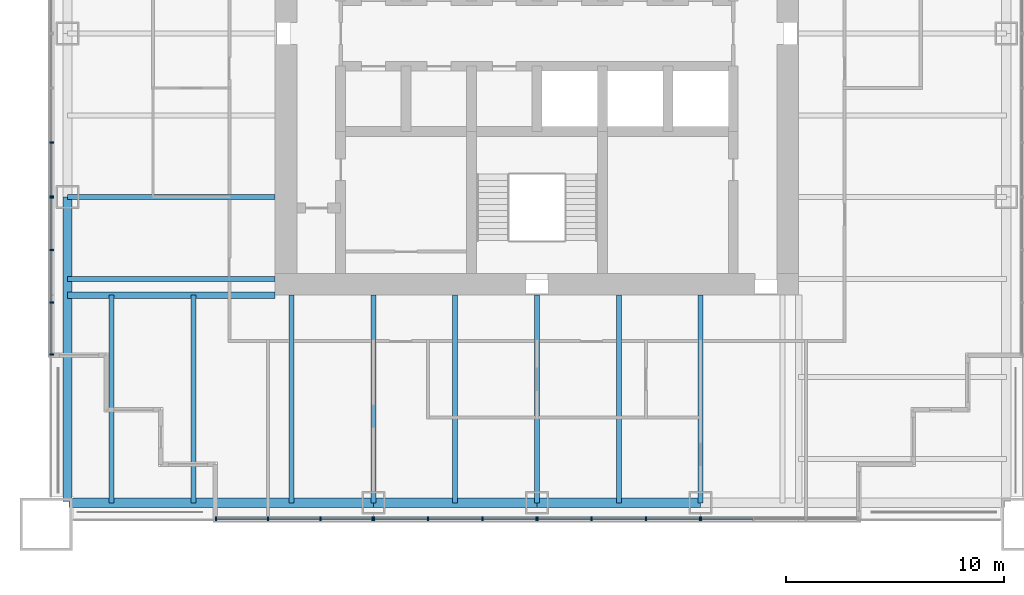
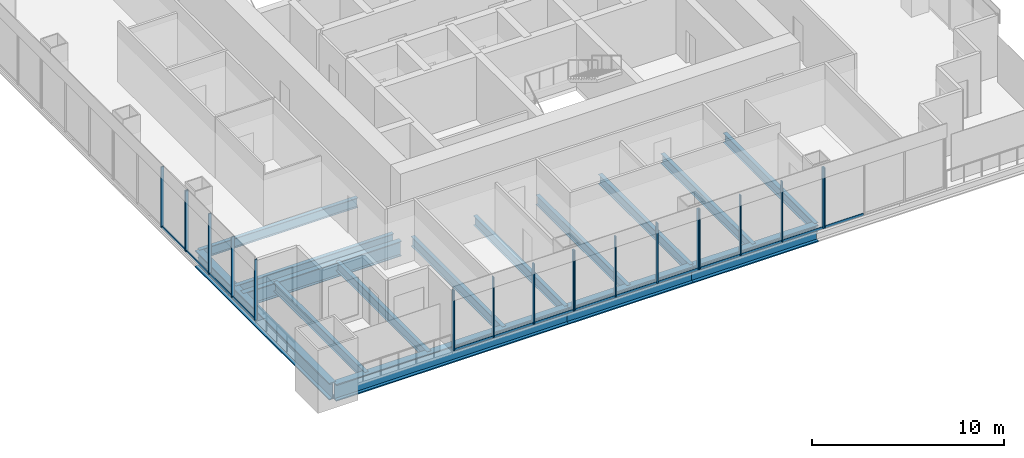
# One storey, part 2 of 13: 33 members, 15 beams, 6 elements without a shape of their own.
"""IFC4 building model written with IfcOpenShell, lengths in metres."""

from ifc_helpers import new_model, si_unit, direction, frame, origin, origin_2d, place, context, subcontext, project, spatial, rectangle, i_section, extrude, material, material_profile, profile_set, type_object, element, aggregate, save


model = new_model("IFC4")

# Units and contexts
model_context = context("Model", 3, precision=1e-05, world=origin(), true_north=direction((0.0, 1.0)))
body_context = subcontext(model_context, "Body", "Model", "MODEL_VIEW")
ifc_project = project(units=[si_unit("LENGTHUNIT", "METRE"), si_unit("AREAUNIT", "SQUARE_METRE"), si_unit("VOLUMEUNIT", "CUBIC_METRE"), si_unit("PLANEANGLEUNIT", "RADIAN"), si_unit("MASSUNIT", "GRAM", prefix="KILO")], contexts=[model_context])

# Site, building, storey
site_placement = place(None, origin())
site = spatial("IfcSite", under=ifc_project, at=site_placement, CompositionType="ELEMENT")
building_placement = place(site_placement, origin())
building = spatial("IfcBuilding", under=site, at=building_placement, Name="Tarangal Relay Tower", CompositionType="ELEMENT")
storey_placement = place(building_placement, frame((0.0, 0.0, 209.89990234375)))
storey = spatial("IfcBuildingStorey", under=building, at=storey_placement, Name="L44", CompositionType="ELEMENT", Elevation=209.89990234375)

# Beams
ifc_material_1 = material(Name="Steel ASTM A992", Category="steel")
ifc_material_profile_1 = material_profile(ifc_material_1, i_section(OverallWidth=0.227783203125, OverallDepth=0.60205078125, WebThickness=0.010498046875, FlangeThickness=0.014892578125, at=origin_2d()), Name="W24X68")
ifc_profile_set_1 = profile_set([ifc_material_profile_1], Name="Steel ASTM A992")
beam_type_1 = type_object("IfcBeamType", Name="Corner beam W24X68", PredefinedType="JOIST", material=ifc_profile_set_1)
for number, where, z_axis, x_axis, name in (
    (1, (-15.75, -12.0, -0.450927734375), (0.0, -1.0, 0.0), (1.0, 0.0, 0.0), "Corner beam CB11 S L44"),
    (2, (-19.5, -12.0, -0.450927734375), (0.0, -1.0, 0.0), (1.0, 0.0, 0.0), "Corner beam CB11 S L44"),
):
    element("IfcBeam", number, at=place(storey_placement, frame(where, z_axis=z_axis, x_axis=x_axis)), inside=storey, type_object=beam_type_1, Name=name, PredefinedType="JOIST", context=body_context, shape_type="SweptSolid", body=[
        extrude(i_section(OverallWidth=0.227783203125, OverallDepth=0.60205078125, WebThickness=0.010498046875, FlangeThickness=0.014892578125, at=origin_2d()), origin(), (0.0, 0.0, 1.0), 9.514892578125),
    ])
ifc_material_profile_2 = material_profile(ifc_material_1, i_section(OverallWidth=0.307373046875, OverallDepth=0.9423828125, WebThickness=0.022216796875, FlangeThickness=0.039794921875, at=origin_2d()), Name="W36X232")
ifc_profile_set_2 = profile_set([ifc_material_profile_2], Name="Steel ASTM A992")
beam_type_2 = type_object("IfcBeamType", Name="Corner girder W36X232", PredefinedType="BEAM", material=ifc_profile_set_2)
beam_placement = place(storey_placement, frame((-12.0, -12.0, -0.62109375), z_axis=(-1.0, 0.0, 0.0), x_axis=(0.0, -1.0, 0.0)))
element("IfcBeam", 3, at=beam_placement, inside=storey, type_object=beam_type_2, Name="Corner girder CG4 S L44", PredefinedType="BEAM", context=body_context, shape_type="SweptSolid", body=[
    extrude(i_section(OverallWidth=0.307373046875, OverallDepth=0.9423828125, WebThickness=0.022216796875, FlangeThickness=0.039794921875, at=origin_2d()), origin(), (0.0, 0.0, 1.0), 9.514892578125),
])
ifc_material_profile_3 = material_profile(ifc_material_1, i_section(OverallWidth=0.41650390625, OverallDepth=1.0693359375, WebThickness=0.0390625, FlangeThickness=0.070068359375, at=origin_2d()), Name="W40X503")
ifc_profile_set_3 = profile_set([ifc_material_profile_3], Name="Steel ASTM A992")
beam_type_3 = type_object("IfcBeamType", Name="Edge girder W40X503", PredefinedType="SPANDREL", material=ifc_profile_set_3)
for number, where, z_axis, x_axis, name in (
    (4, (7.5, -21.514892578125, -0.6845703125), (-1.0, 0.0, 0.0), (0.0, -1.0, 0.0), "Edge girder EG8 S L44"),
    (5, (0.0, -21.514892578125, -0.6845703125), (-1.0, 0.0, 0.0), (0.0, -1.0, 0.0), "Edge girder EG8 S L44"),
):
    element("IfcBeam", number, at=place(storey_placement, frame(where, z_axis=z_axis, x_axis=x_axis)), inside=storey, type_object=beam_type_3, Name=name, PredefinedType="SPANDREL", context=body_context, shape_type="SweptSolid", body=[
        extrude(i_section(OverallWidth=0.41650390625, OverallDepth=1.0693359375, WebThickness=0.0390625, FlangeThickness=0.070068359375, at=origin_2d()), origin(), (0.0, 0.0, 1.0), 7.5),
    ])
for number, where, z_axis, x_axis, name in (
    (6, (-7.5, -21.514892578125, -0.6845703125), (-1.0, 0.0, 0.0), (0.0, -1.0, 0.0), "Edge girder EG8 S L44"),
    (7, (-21.514892578125, -21.449951171875, -0.6845703125), (0.0, 1.0, 0.0), (-1.0, 0.0, 0.0), "Edge girder EG8 W L44"),
):
    element("IfcBeam", number, at=place(storey_placement, frame(where, z_axis=z_axis, x_axis=x_axis)), inside=storey, type_object=beam_type_3, Name=name, PredefinedType="SPANDREL", context=body_context, shape_type="SweptSolid", body=[
        extrude(i_section(OverallWidth=0.41650390625, OverallDepth=1.0693359375, WebThickness=0.0390625, FlangeThickness=0.070068359375, at=origin_2d()), origin(), (0.0, 0.0, 1.0), 13.949951171875),
    ])
ifc_material_profile_4 = material_profile(ifc_material_1, i_section(OverallWidth=0.22900390625, OverallDepth=0.612060546875, WebThickness=0.011962890625, FlangeThickness=0.01953125, at=origin_2d()), Name="W24X84")
ifc_profile_set_4 = profile_set([ifc_material_profile_4], Name="Steel ASTM A992")
beam_type_4 = type_object("IfcBeamType", Name="Floor beam W24X84", PredefinedType="BEAM", material=ifc_profile_set_4)
for number, where, z_axis, x_axis, name in (
    (8, (7.5, -12.0, -0.455810546875), (0.0, -1.0, 0.0), (1.0, 0.0, 0.0), "Floor beam RB12 S L44"),
    (9, (3.75, -12.0, -0.455810546875), (0.0, -1.0, 0.0), (1.0, 0.0, 0.0), "Floor beam RB12 S L44"),
    (10, (0.0, -12.0, -0.455810546875), (0.0, -1.0, 0.0), (1.0, 0.0, 0.0), "Floor beam RB12 S L44"),
    (11, (-3.75, -12.0, -0.455810546875), (0.0, -1.0, 0.0), (1.0, 0.0, 0.0), "Floor beam RB12 S L44"),
    (12, (-7.5, -12.0, -0.455810546875), (0.0, -1.0, 0.0), (1.0, 0.0, 0.0), "Floor beam RB12 S L44"),
    (13, (-11.25, -12.0, -0.455810546875), (0.0, -1.0, 0.0), (1.0, 0.0, 0.0), "Floor beam RB12 S L44"),
    (14, (-12.0, -11.25, -0.455810546875), (-1.0, 0.0, 0.0), (0.0, -1.0, 0.0), "Floor beam RB12 W L44"),
    (15, (-12.0, -7.5, -0.455810546875), (-1.0, 0.0, 0.0), (0.0, -1.0, 0.0), "Floor beam RB12 W L44"),
):
    element("IfcBeam", number, at=place(storey_placement, frame(where, z_axis=z_axis, x_axis=x_axis)), inside=storey, type_object=beam_type_4, Name=name, PredefinedType="BEAM", context=body_context, shape_type="SweptSolid", body=[
        extrude(i_section(OverallWidth=0.22900390625, OverallDepth=0.612060546875, WebThickness=0.011962890625, FlangeThickness=0.01953125, at=origin_2d()), origin(), (0.0, 0.0, 1.0), 9.514892578125),
    ])

# Curtain wall, member
ifc_material_2 = material(Name="Unitised curtain wall, dark glass and black aluminium", Category="aluminium")
curtain_wall_type = type_object("IfcCurtainWallType", Name="Curtain wall CW-A", PredefinedType="USERDEFINED", material=ifc_material_2)
curtain_wall_1_placement = place(storey_placement, origin())
curtain_wall_1 = element("IfcCurtainWall", 16, at=curtain_wall_1_placement, inside=storey, type_object=curtain_wall_type, Name="Curtain wall CW-A S facade L44", ObjectType="UNITISED CURTAIN WALL", PredefinedType="USERDEFINED")
ifc_material_3 = material(Name="Black anodised aluminium mullion", Category="aluminium")
ifc_material_profile_5 = material_profile(ifc_material_3, rectangle(XDim=0.175048828125, YDim=0.06494140625, at=origin_2d()), Name="CW-AM 65X175")
ifc_profile_set_5 = profile_set([ifc_material_profile_5], Name="Black anodised aluminium mullion")
member_type_1 = type_object("IfcMemberType", Name="Mullion CW-A 65 x 175", PredefinedType="MULLION", material=ifc_profile_set_5)
member_1_placement = place(storey_placement, frame((7.532470703125, -22.25, 0.0), z_axis=(0.0, 0.0, 1.0), x_axis=(0.0, -1.0, 0.0)))
member_1 = element("IfcMember", 17, at=member_1_placement, type_object=member_type_1, Name="CW-A mullion 4", PredefinedType="MULLION", context=body_context, shape_type="SweptSolid", body=[
    extrude(rectangle(XDim=0.175048828125, YDim=0.06494140625, at=origin_2d()), origin(), (0.0, 0.0, 1.0), 3.85009765625),
])

# Curtain wall, members
curtain_wall_2_placement = place(storey_placement, origin())
curtain_wall_2 = element("IfcCurtainWall", 18, at=curtain_wall_2_placement, inside=storey, type_object=curtain_wall_type, Name="Curtain wall CW-A S facade L44", ObjectType="UNITISED CURTAIN WALL", PredefinedType="USERDEFINED")
member_2_placement = place(storey_placement, frame((7.467529296875, -22.25, 0.0), z_axis=(0.0, 0.0, 1.0), x_axis=(0.0, -1.0, 0.0)))
member_2 = element("IfcMember", 19, at=member_2_placement, type_object=member_type_1, Name="CW-A mullion 1", PredefinedType="MULLION", context=body_context, shape_type="SweptSolid", body=[
    extrude(rectangle(XDim=0.175048828125, YDim=0.06494140625, at=origin_2d()), origin(), (0.0, 0.0, 1.0), 3.85009765625),
])
member_3_placement = place(storey_placement, frame((5.0, -22.25, 0.0), z_axis=(0.0, 0.0, 1.0), x_axis=(0.0, -1.0, 0.0)))
member_3 = element("IfcMember", 20, at=member_3_placement, type_object=member_type_1, Name="CW-A mullion 2", PredefinedType="MULLION", context=body_context, shape_type="SweptSolid", body=[
    extrude(rectangle(XDim=0.175048828125, YDim=0.06494140625, at=origin_2d()), origin(), (0.0, 0.0, 1.0), 3.85009765625),
])
member_4_placement = place(storey_placement, frame((2.5, -22.25, 0.0), z_axis=(0.0, 0.0, 1.0), x_axis=(0.0, -1.0, 0.0)))
member_4 = element("IfcMember", 21, at=member_4_placement, type_object=member_type_1, Name="CW-A mullion 3", PredefinedType="MULLION", context=body_context, shape_type="SweptSolid", body=[
    extrude(rectangle(XDim=0.175048828125, YDim=0.06494140625, at=origin_2d()), origin(), (0.0, 0.0, 1.0), 3.85009765625),
])
member_5_placement = place(storey_placement, frame((0.032470703125, -22.25, 0.0), z_axis=(0.0, 0.0, 1.0), x_axis=(0.0, -1.0, 0.0)))
member_5 = element("IfcMember", 22, at=member_5_placement, type_object=member_type_1, Name="CW-A mullion 4", PredefinedType="MULLION", context=body_context, shape_type="SweptSolid", body=[
    extrude(rectangle(XDim=0.175048828125, YDim=0.06494140625, at=origin_2d()), origin(), (0.0, 0.0, 1.0), 3.85009765625),
])

curtain_wall_3_placement = place(storey_placement, origin())
curtain_wall_3 = element("IfcCurtainWall", 23, at=curtain_wall_3_placement, inside=storey, type_object=curtain_wall_type, Name="Curtain wall CW-A S facade L44", ObjectType="UNITISED CURTAIN WALL", PredefinedType="USERDEFINED")
member_6_placement = place(storey_placement, frame((-0.032470703125, -22.25, 0.0), z_axis=(0.0, 0.0, 1.0), x_axis=(0.0, -1.0, 0.0)))
member_6 = element("IfcMember", 24, at=member_6_placement, type_object=member_type_1, Name="CW-A mullion 1", PredefinedType="MULLION", context=body_context, shape_type="SweptSolid", body=[
    extrude(rectangle(XDim=0.175048828125, YDim=0.06494140625, at=origin_2d()), origin(), (0.0, 0.0, 1.0), 3.85009765625),
])
member_7_placement = place(storey_placement, frame((-2.5, -22.25, 0.0), z_axis=(0.0, 0.0, 1.0), x_axis=(0.0, -1.0, 0.0)))
member_7 = element("IfcMember", 25, at=member_7_placement, type_object=member_type_1, Name="CW-A mullion 2", PredefinedType="MULLION", context=body_context, shape_type="SweptSolid", body=[
    extrude(rectangle(XDim=0.175048828125, YDim=0.06494140625, at=origin_2d()), origin(), (0.0, 0.0, 1.0), 3.85009765625),
])
member_8_placement = place(storey_placement, frame((-5.0, -22.25, 0.0), z_axis=(0.0, 0.0, 1.0), x_axis=(0.0, -1.0, 0.0)))
member_8 = element("IfcMember", 26, at=member_8_placement, type_object=member_type_1, Name="CW-A mullion 3", PredefinedType="MULLION", context=body_context, shape_type="SweptSolid", body=[
    extrude(rectangle(XDim=0.175048828125, YDim=0.06494140625, at=origin_2d()), origin(), (0.0, 0.0, 1.0), 3.85009765625),
])
member_9_placement = place(storey_placement, frame((-7.467529296875, -22.25, 0.0), z_axis=(0.0, 0.0, 1.0), x_axis=(0.0, -1.0, 0.0)))
member_9 = element("IfcMember", 27, at=member_9_placement, type_object=member_type_1, Name="CW-A mullion 4", PredefinedType="MULLION", context=body_context, shape_type="SweptSolid", body=[
    extrude(rectangle(XDim=0.175048828125, YDim=0.06494140625, at=origin_2d()), origin(), (0.0, 0.0, 1.0), 3.85009765625),
])

curtain_wall_4_placement = place(storey_placement, origin())
curtain_wall_4 = element("IfcCurtainWall", 28, at=curtain_wall_4_placement, inside=storey, type_object=curtain_wall_type, Name="Curtain wall CW-A S facade L44", ObjectType="UNITISED CURTAIN WALL", PredefinedType="USERDEFINED")
member_10_placement = place(storey_placement, frame((-7.532470703125, -22.25, 0.0), z_axis=(0.0, 0.0, 1.0), x_axis=(0.0, -1.0, 0.0)))
member_10 = element("IfcMember", 29, at=member_10_placement, type_object=member_type_1, Name="CW-A mullion 1", PredefinedType="MULLION", context=body_context, shape_type="SweptSolid", body=[
    extrude(rectangle(XDim=0.175048828125, YDim=0.06494140625, at=origin_2d()), origin(), (0.0, 0.0, 1.0), 3.85009765625),
])
member_11_placement = place(storey_placement, frame((-9.916748046875, -22.25, 0.0), z_axis=(0.0, 0.0, 1.0), x_axis=(0.0, -1.0, 0.0)))
member_11 = element("IfcMember", 30, at=member_11_placement, type_object=member_type_1, Name="CW-A mullion 2", PredefinedType="MULLION", context=body_context, shape_type="SweptSolid", body=[
    extrude(rectangle(XDim=0.175048828125, YDim=0.06494140625, at=origin_2d()), origin(), (0.0, 0.0, 1.0), 3.85009765625),
])
member_12_placement = place(storey_placement, frame((-12.333251953125, -22.25, 0.0), z_axis=(0.0, 0.0, 1.0), x_axis=(0.0, -1.0, 0.0)))
member_12 = element("IfcMember", 31, at=member_12_placement, type_object=member_type_1, Name="CW-A mullion 3", PredefinedType="MULLION", context=body_context, shape_type="SweptSolid", body=[
    extrude(rectangle(XDim=0.175048828125, YDim=0.06494140625, at=origin_2d()), origin(), (0.0, 0.0, 1.0), 3.85009765625),
])
member_13_placement = place(storey_placement, frame((-14.717529296875, -22.25, 0.0), z_axis=(0.0, 0.0, 1.0), x_axis=(0.0, -1.0, 0.0)))
member_13 = element("IfcMember", 32, at=member_13_placement, type_object=member_type_1, Name="CW-A mullion 4", PredefinedType="MULLION", context=body_context, shape_type="SweptSolid", body=[
    extrude(rectangle(XDim=0.175048828125, YDim=0.06494140625, at=origin_2d()), origin(), (0.0, 0.0, 1.0), 3.85009765625),
])

curtain_wall_5_placement = place(storey_placement, origin())
curtain_wall_5 = element("IfcCurtainWall", 33, at=curtain_wall_5_placement, inside=storey, type_object=curtain_wall_type, Name="Curtain wall CW-A W facade L44", ObjectType="UNITISED CURTAIN WALL", PredefinedType="USERDEFINED")
member_14_placement = place(storey_placement, frame((-22.25, -14.717529296875, 0.0), z_axis=(0.0, 0.0, 1.0), x_axis=(-1.0, 0.0, 0.0)))
member_14 = element("IfcMember", 34, at=member_14_placement, type_object=member_type_1, Name="CW-A mullion 1", PredefinedType="MULLION", context=body_context, shape_type="SweptSolid", body=[
    extrude(rectangle(XDim=0.175048828125, YDim=0.06494140625, at=origin_2d()), origin(), (0.0, 0.0, 1.0), 3.85009765625),
])
member_15_placement = place(storey_placement, frame((-22.25, -12.333251953125, 0.0), z_axis=(0.0, 0.0, 1.0), x_axis=(-1.0, 0.0, 0.0)))
member_15 = element("IfcMember", 35, at=member_15_placement, type_object=member_type_1, Name="CW-A mullion 2", PredefinedType="MULLION", context=body_context, shape_type="SweptSolid", body=[
    extrude(rectangle(XDim=0.175048828125, YDim=0.06494140625, at=origin_2d()), origin(), (0.0, 0.0, 1.0), 3.85009765625),
])
member_16_placement = place(storey_placement, frame((-22.25, -9.916748046875, 0.0), z_axis=(0.0, 0.0, 1.0), x_axis=(-1.0, 0.0, 0.0)))
member_16 = element("IfcMember", 36, at=member_16_placement, type_object=member_type_1, Name="CW-A mullion 3", PredefinedType="MULLION", context=body_context, shape_type="SweptSolid", body=[
    extrude(rectangle(XDim=0.175048828125, YDim=0.06494140625, at=origin_2d()), origin(), (0.0, 0.0, 1.0), 3.85009765625),
])
member_17_placement = place(storey_placement, frame((-22.25, -7.532470703125, 0.0), z_axis=(0.0, 0.0, 1.0), x_axis=(-1.0, 0.0, 0.0)))
member_17 = element("IfcMember", 37, at=member_17_placement, type_object=member_type_1, Name="CW-A mullion 4", PredefinedType="MULLION", context=body_context, shape_type="SweptSolid", body=[
    extrude(rectangle(XDim=0.175048828125, YDim=0.06494140625, at=origin_2d()), origin(), (0.0, 0.0, 1.0), 3.85009765625),
])

curtain_wall_6_placement = place(storey_placement, origin())
curtain_wall_6 = element("IfcCurtainWall", 38, at=curtain_wall_6_placement, inside=storey, type_object=curtain_wall_type, Name="Curtain wall CW-A W facade L44", ObjectType="UNITISED CURTAIN WALL", PredefinedType="USERDEFINED")
member_18_placement = place(storey_placement, frame((-22.25, -7.467529296875, 0.0), z_axis=(0.0, 0.0, 1.0), x_axis=(-1.0, 0.0, 0.0)))
member_18 = element("IfcMember", 39, at=member_18_placement, type_object=member_type_1, Name="CW-A mullion 1", PredefinedType="MULLION", context=body_context, shape_type="SweptSolid", body=[
    extrude(rectangle(XDim=0.175048828125, YDim=0.06494140625, at=origin_2d()), origin(), (0.0, 0.0, 1.0), 3.85009765625),
])
member_19_placement = place(storey_placement, frame((-22.25, -5.0, 0.0), z_axis=(0.0, 0.0, 1.0), x_axis=(-1.0, 0.0, 0.0)))
member_19 = element("IfcMember", 40, at=member_19_placement, type_object=member_type_1, Name="CW-A mullion 2", PredefinedType="MULLION", context=body_context, shape_type="SweptSolid", body=[
    extrude(rectangle(XDim=0.175048828125, YDim=0.06494140625, at=origin_2d()), origin(), (0.0, 0.0, 1.0), 3.85009765625),
])

# Member
ifc_material_4 = material(Name="Black anodised aluminium transom", Category="aluminium")
ifc_material_profile_6 = material_profile(ifc_material_4, rectangle(XDim=0.06494140625, YDim=0.14990234375, at=origin_2d()), Name="CW-AT 65X150")
ifc_profile_set_6 = profile_set([ifc_material_profile_6], Name="Black anodised aluminium transom")
member_type_2 = type_object("IfcMemberType", Name="Transom CW-A 65 x 150", PredefinedType="USERDEFINED", material=ifc_profile_set_6)
member_20_placement = place(storey_placement, frame((9.88427734375, -22.25, 0.03271484375), z_axis=(-1.0, 0.0, 0.0), x_axis=(0.0, -1.0, 0.0)))
member_20 = element("IfcMember", 41, at=member_20_placement, type_object=member_type_2, Name="CW-A transom 3.1", ObjectType="TRANSOM", PredefinedType="USERDEFINED", context=body_context, shape_type="SweptSolid", body=[
    extrude(rectangle(XDim=0.06494140625, YDim=0.14990234375, at=origin_2d()), origin(), (0.0, 0.0, 1.0), 2.3193359375),
])

aggregate(curtain_wall_1, [member_1, member_20])

member_21_placement = place(storey_placement, frame((7.43505859375, -22.25, 0.03271484375), z_axis=(-1.0, 0.0, 0.0), x_axis=(0.0, -1.0, 0.0)))
member_21 = element("IfcMember", 42, at=member_21_placement, type_object=member_type_2, Name="CW-A transom 1.1", ObjectType="TRANSOM", PredefinedType="USERDEFINED", context=body_context, shape_type="SweptSolid", body=[
    extrude(rectangle(XDim=0.06494140625, YDim=0.14990234375, at=origin_2d()), origin(), (0.0, 0.0, 1.0), 2.402587890625),
])

member_22_placement = place(storey_placement, frame((4.967529296875, -22.25, 0.03271484375), z_axis=(-1.0, 0.0, 0.0), x_axis=(0.0, -1.0, 0.0)))
member_22 = element("IfcMember", 43, at=member_22_placement, type_object=member_type_2, Name="CW-A transom 2.1", ObjectType="TRANSOM", PredefinedType="USERDEFINED", context=body_context, shape_type="SweptSolid", body=[
    extrude(rectangle(XDim=0.06494140625, YDim=0.14990234375, at=origin_2d()), origin(), (0.0, 0.0, 1.0), 2.43505859375),
])

member_23_placement = place(storey_placement, frame((2.467529296875, -22.25, 0.03271484375), z_axis=(-1.0, 0.0, 0.0), x_axis=(0.0, -1.0, 0.0)))
member_23 = element("IfcMember", 44, at=member_23_placement, type_object=member_type_2, Name="CW-A transom 3.1", ObjectType="TRANSOM", PredefinedType="USERDEFINED", context=body_context, shape_type="SweptSolid", body=[
    extrude(rectangle(XDim=0.06494140625, YDim=0.14990234375, at=origin_2d()), origin(), (0.0, 0.0, 1.0), 2.402587890625),
])

aggregate(curtain_wall_2, [member_2, member_3, member_4, member_5, member_21, member_22, member_23])

member_24_placement = place(storey_placement, frame((-0.06494140625, -22.25, 0.03271484375), z_axis=(-1.0, 0.0, 0.0), x_axis=(0.0, -1.0, 0.0)))
member_24 = element("IfcMember", 45, at=member_24_placement, type_object=member_type_2, Name="CW-A transom 1.1", ObjectType="TRANSOM", PredefinedType="USERDEFINED", context=body_context, shape_type="SweptSolid", body=[
    extrude(rectangle(XDim=0.06494140625, YDim=0.14990234375, at=origin_2d()), origin(), (0.0, 0.0, 1.0), 2.402587890625),
])

member_25_placement = place(storey_placement, frame((-2.532470703125, -22.25, 0.03271484375), z_axis=(-1.0, 0.0, 0.0), x_axis=(0.0, -1.0, 0.0)))
member_25 = element("IfcMember", 46, at=member_25_placement, type_object=member_type_2, Name="CW-A transom 2.1", ObjectType="TRANSOM", PredefinedType="USERDEFINED", context=body_context, shape_type="SweptSolid", body=[
    extrude(rectangle(XDim=0.06494140625, YDim=0.14990234375, at=origin_2d()), origin(), (0.0, 0.0, 1.0), 2.43505859375),
])

member_26_placement = place(storey_placement, frame((-5.032470703125, -22.25, 0.03271484375), z_axis=(-1.0, 0.0, 0.0), x_axis=(0.0, -1.0, 0.0)))
member_26 = element("IfcMember", 47, at=member_26_placement, type_object=member_type_2, Name="CW-A transom 3.1", ObjectType="TRANSOM", PredefinedType="USERDEFINED", context=body_context, shape_type="SweptSolid", body=[
    extrude(rectangle(XDim=0.06494140625, YDim=0.14990234375, at=origin_2d()), origin(), (0.0, 0.0, 1.0), 2.402587890625),
])

aggregate(curtain_wall_3, [member_6, member_7, member_8, member_9, member_24, member_25, member_26])

member_27_placement = place(storey_placement, frame((-7.56494140625, -22.25, 0.03271484375), z_axis=(-1.0, 0.0, 0.0), x_axis=(0.0, -1.0, 0.0)))
member_27 = element("IfcMember", 48, at=member_27_placement, type_object=member_type_2, Name="CW-A transom 1.1", ObjectType="TRANSOM", PredefinedType="USERDEFINED", context=body_context, shape_type="SweptSolid", body=[
    extrude(rectangle(XDim=0.06494140625, YDim=0.14990234375, at=origin_2d()), origin(), (0.0, 0.0, 1.0), 2.3193359375),
])

member_28_placement = place(storey_placement, frame((-9.94921875, -22.25, 0.03271484375), z_axis=(-1.0, 0.0, 0.0), x_axis=(0.0, -1.0, 0.0)))
member_28 = element("IfcMember", 49, at=member_28_placement, type_object=member_type_2, Name="CW-A transom 2.1", ObjectType="TRANSOM", PredefinedType="USERDEFINED", context=body_context, shape_type="SweptSolid", body=[
    extrude(rectangle(XDim=0.06494140625, YDim=0.14990234375, at=origin_2d()), origin(), (0.0, 0.0, 1.0), 2.3515625),
])

member_29_placement = place(storey_placement, frame((-12.36572265625, -22.25, 0.03271484375), z_axis=(-1.0, 0.0, 0.0), x_axis=(0.0, -1.0, 0.0)))
member_29 = element("IfcMember", 50, at=member_29_placement, type_object=member_type_2, Name="CW-A transom 3.1", ObjectType="TRANSOM", PredefinedType="USERDEFINED", context=body_context, shape_type="SweptSolid", body=[
    extrude(rectangle(XDim=0.06494140625, YDim=0.14990234375, at=origin_2d()), origin(), (0.0, 0.0, 1.0), 2.3193359375),
])

aggregate(curtain_wall_4, [member_10, member_11, member_12, member_13, member_27, member_28, member_29])

member_30_placement = place(storey_placement, frame((-22.25, -14.68505859375, 0.03271484375), z_axis=(0.0, 1.0, 0.0), x_axis=(-1.0, 0.0, 0.0)))
member_30 = element("IfcMember", 51, at=member_30_placement, type_object=member_type_2, Name="CW-A transom 1.1", ObjectType="TRANSOM", PredefinedType="USERDEFINED", context=body_context, shape_type="SweptSolid", body=[
    extrude(rectangle(XDim=0.06494140625, YDim=0.14990234375, at=origin_2d()), origin(), (0.0, 0.0, 1.0), 2.3193359375),
])

member_31_placement = place(storey_placement, frame((-22.25, -12.30078125, 0.03271484375), z_axis=(0.0, 1.0, 0.0), x_axis=(-1.0, 0.0, 0.0)))
member_31 = element("IfcMember", 52, at=member_31_placement, type_object=member_type_2, Name="CW-A transom 2.1", ObjectType="TRANSOM", PredefinedType="USERDEFINED", context=body_context, shape_type="SweptSolid", body=[
    extrude(rectangle(XDim=0.06494140625, YDim=0.14990234375, at=origin_2d()), origin(), (0.0, 0.0, 1.0), 2.3515625),
])

member_32_placement = place(storey_placement, frame((-22.25, -9.88427734375, 0.03271484375), z_axis=(0.0, 1.0, 0.0), x_axis=(-1.0, 0.0, 0.0)))
member_32 = element("IfcMember", 53, at=member_32_placement, type_object=member_type_2, Name="CW-A transom 3.1", ObjectType="TRANSOM", PredefinedType="USERDEFINED", context=body_context, shape_type="SweptSolid", body=[
    extrude(rectangle(XDim=0.06494140625, YDim=0.14990234375, at=origin_2d()), origin(), (0.0, 0.0, 1.0), 2.3193359375),
])

aggregate(curtain_wall_5, [member_14, member_15, member_16, member_17, member_30, member_31, member_32])

member_33_placement = place(storey_placement, frame((-22.25, -7.43505859375, 0.03271484375), z_axis=(0.0, 1.0, 0.0), x_axis=(-1.0, 0.0, 0.0)))
member_33 = element("IfcMember", 54, at=member_33_placement, type_object=member_type_2, Name="CW-A transom 1.1", ObjectType="TRANSOM", PredefinedType="USERDEFINED", context=body_context, shape_type="SweptSolid", body=[
    extrude(rectangle(XDim=0.06494140625, YDim=0.14990234375, at=origin_2d()), origin(), (0.0, 0.0, 1.0), 2.402587890625),
])

aggregate(curtain_wall_6, [member_18, member_19, member_33])

save(model, "model.ifc")
